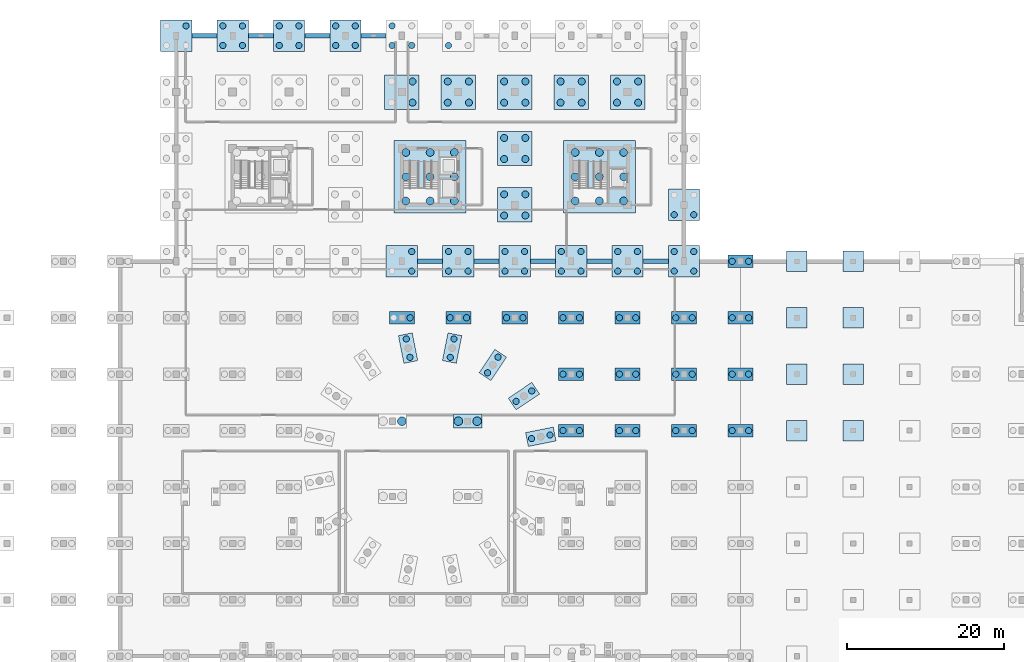
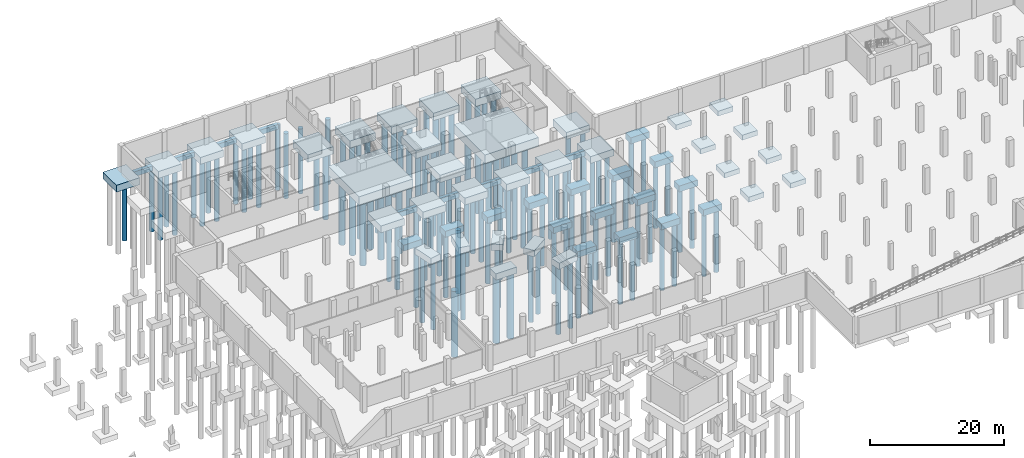
# One storey, part 4 of 19: 129 piles, 59 footings.
"""IFC4 building model written with IfcOpenShell, lengths in metres."""

from ifc_helpers import new_model, si_unit, direction, frame, origin, origin_2d, place, context, subcontext, project, spatial, rectangle, circle, extrude, material, material_profile, profile_set, type_object, element, save


model = new_model("IFC4")

# Units and contexts
model_context = context("Model", 3, precision=1e-05, world=origin(), true_north=direction((0.0, 1.0)))
body_context = subcontext(model_context, "Body", "Model", "MODEL_VIEW")
ifc_project = project(units=[si_unit("LENGTHUNIT", "METRE"), si_unit("AREAUNIT", "SQUARE_METRE"), si_unit("VOLUMEUNIT", "CUBIC_METRE"), si_unit("PLANEANGLEUNIT", "RADIAN"), si_unit("MASSUNIT", "GRAM", prefix="KILO")], contexts=[model_context])

# Site, building, storey
site_placement = place(None, origin())
site = spatial("IfcSite", under=ifc_project, at=site_placement, CompositionType="ELEMENT")
building_placement = place(site_placement, origin())
building = spatial("IfcBuilding", under=site, at=building_placement, Name="Qiaolan Assembly House", CompositionType="ELEMENT")
storey_placement = place(building_placement, frame((0.0, 0.0, -4.800048828125)))
storey = spatial("IfcBuildingStorey", under=building, at=storey_placement, Name="B1", CompositionType="ELEMENT", Elevation=-4.800048828125)

# Footings
ifc_material_1 = material(Name="Concrete C40/50", Category="concrete")
footing_type_1 = type_object("IfcFootingType", Name="FTG-CORE-RAFT-9200x9200", PredefinedType="PILE_CAP", material=ifc_material_1)
for number, where, z_axis, x_axis, name in (
    (1, (68.39990234375, 97.199951171875, -2.35009765625), (0.0, 0.0, 1.0), (1.0, 0.0, 0.0), "PC-01 pile cap CORE-B"),
    (2, (90.0, 97.199951171875, -2.35009765625), (0.0, 0.0, 1.0), (1.0, 0.0, 0.0), "PC-01 pile cap CORE-G"),
):
    element("IfcFooting", number, at=place(storey_placement, frame(where, z_axis=z_axis, x_axis=x_axis)), inside=storey, type_object=footing_type_1, Name=name, PredefinedType="PILE_CAP", context=body_context, shape_type="SweptSolid", body=[
        extrude(rectangle(XDim=9.199951171875, YDim=9.199951171875, at=origin_2d()), origin(), (0.0, 0.0, 1.0), 1.60009765625),
    ])
ifc_material_profile_1 = material_profile(ifc_material_1, rectangle(XDim=0.60009765625, YDim=0.89990234375, at=origin_2d()), Name="GF 600x900")
ifc_profile_set_1 = profile_set([ifc_material_profile_1], Name="Concrete C40/50")
footing_type_2 = type_object("IfcFootingType", Name="FTG-GB-600x900", PredefinedType="FOOTING_BEAM", material=ifc_profile_set_1)
for number, where, z_axis, x_axis, name in (
    (3, (66.802978515625, 86.39990234375, -1.199951171875), (1.0, 0.0, 0.0), (0.0, 1.0, 0.0), "GF-01 ground tie beam NW-86-4"),
    (4, (74.0029296875, 86.39990234375, -1.199951171875), (1.0, 0.0, 0.0), (0.0, 1.0, 0.0), "GF-01 ground tie beam NW-86-5"),
    (5, (81.202880859375, 86.39990234375, -1.199951171875), (1.0, 0.0, 0.0), (0.0, 1.0, 0.0), "GF-01 ground tie beam NW-86-6"),
):
    element("IfcFooting", number, at=place(storey_placement, frame(where, z_axis=z_axis, x_axis=x_axis)), inside=storey, type_object=footing_type_2, Name=name, PredefinedType="FOOTING_BEAM", context=body_context, shape_type="SweptSolid", body=[
        extrude(rectangle(XDim=0.60009765625, YDim=0.89990234375, at=origin_2d()), origin(), (0.0, 0.0, 1.0), 3.194091796875),
    ])
footing_1_placement = place(storey_placement, frame((88.403076171875, 86.39990234375, -1.199951171875), z_axis=(1.0, 0.0, 0.0), x_axis=(0.0, 1.0, 0.0)))
element("IfcFooting", 6, at=footing_1_placement, inside=storey, type_object=footing_type_2, Name="GF-01 ground tie beam NW-86-7", PredefinedType="FOOTING_BEAM", context=body_context, shape_type="SweptSolid", body=[
    extrude(rectangle(XDim=0.60009765625, YDim=0.89990234375, at=origin_2d()), origin(), (0.0, 0.0, 1.0), 3.19384765625),
])
for number, where, z_axis, x_axis, name in (
    (7, (95.60302734375, 86.39990234375, -1.199951171875), (1.0, 0.0, 0.0), (0.0, 1.0, 0.0), "GF-01 ground tie beam NW-86-8"),
    (8, (38.0029296875, 115.199951171875, -1.199951171875), (1.0, 0.0, 0.0), (0.0, 1.0, 0.0), "GF-01 ground tie beam NW-115-0"),
    (9, (45.202880859375, 115.199951171875, -1.199951171875), (1.0, 0.0, 0.0), (0.0, 1.0, 0.0), "GF-01 ground tie beam NW-115-1"),
):
    element("IfcFooting", number, at=place(storey_placement, frame(where, z_axis=z_axis, x_axis=x_axis)), inside=storey, type_object=footing_type_2, Name=name, PredefinedType="FOOTING_BEAM", context=body_context, shape_type="SweptSolid", body=[
        extrude(rectangle(XDim=0.60009765625, YDim=0.89990234375, at=origin_2d()), origin(), (0.0, 0.0, 1.0), 3.194091796875),
    ])
footing_2_placement = place(storey_placement, frame((52.403076171875, 115.199951171875, -1.199951171875), z_axis=(1.0, 0.0, 0.0), x_axis=(0.0, 1.0, 0.0)))
element("IfcFooting", 10, at=footing_2_placement, inside=storey, type_object=footing_type_2, Name="GF-01 ground tie beam NW-115-2", PredefinedType="FOOTING_BEAM", context=body_context, shape_type="SweptSolid", body=[
    extrude(rectangle(XDim=0.60009765625, YDim=0.89990234375, at=origin_2d()), origin(), (0.0, 0.0, 1.0), 3.19384765625),
])
footing_3_placement = place(storey_placement, frame((59.60302734375, 115.199951171875, -1.199951171875), z_axis=(1.0, 0.0, 0.0), x_axis=(0.0, 1.0, 0.0)))
element("IfcFooting", 11, at=footing_3_placement, inside=storey, type_object=footing_type_2, Name="GF-01 ground tie beam NW-115-3", PredefinedType="FOOTING_BEAM", context=body_context, shape_type="SweptSolid", body=[
    extrude(rectangle(XDim=0.60009765625, YDim=0.89990234375, at=origin_2d()), origin(), (0.0, 0.0, 1.0), 3.194091796875),
])
footing_type_3 = type_object("IfcFootingType", Name="FTG-PAD-2600x2600", PredefinedType="PAD_FOOTING", material=ifc_material_1)
for number, where, z_axis, x_axis, name in (
    (12, (115.199951171875, 64.800048828125, -1.64990234375), (0.0, 0.0, 1.0), (1.0, 0.0, 0.0), "PF-02 cloister/carpark pad footing 0-6"),
    (13, (115.199951171875, 72.0, -1.64990234375), (0.0, 0.0, 1.0), (1.0, 0.0, 0.0), "PF-02 cloister/carpark pad footing 0-7"),
    (14, (115.199951171875, 79.199951171875, -1.64990234375), (0.0, 0.0, 1.0), (1.0, 0.0, 0.0), "PF-02 cloister/carpark pad footing 0-8"),
    (15, (115.199951171875, 86.39990234375, -1.64990234375), (0.0, 0.0, 1.0), (1.0, 0.0, 0.0), "PF-02 cloister/carpark pad footing 0-9"),
    (16, (122.39990234375, 64.800048828125, -1.64990234375), (0.0, 0.0, 1.0), (1.0, 0.0, 0.0), "PF-02 cloister/carpark pad footing 1-6"),
    (17, (122.39990234375, 72.0, -1.64990234375), (0.0, 0.0, 1.0), (1.0, 0.0, 0.0), "PF-02 cloister/carpark pad footing 1-7"),
    (18, (122.39990234375, 79.199951171875, -1.64990234375), (0.0, 0.0, 1.0), (1.0, 0.0, 0.0), "PF-02 cloister/carpark pad footing 1-8"),
    (19, (122.39990234375, 86.39990234375, -1.64990234375), (0.0, 0.0, 1.0), (1.0, 0.0, 0.0), "PF-02 cloister/carpark pad footing 1-9"),
):
    element("IfcFooting", number, at=place(storey_placement, frame(where, z_axis=z_axis, x_axis=x_axis)), inside=storey, type_object=footing_type_3, Name=name, PredefinedType="PAD_FOOTING", context=body_context, shape_type="SweptSolid", body=[
        extrude(rectangle(XDim=2.60009765625, YDim=2.60009765625, at=origin_2d()), origin(), (0.0, 0.0, 1.0), 0.89990234375),
    ])
footing_type_4 = type_object("IfcFootingType", Name="FTG-PC-2P-3200x1600", PredefinedType="PILE_CAP", material=ifc_material_1)
for number, where, z_axis, x_axis, name in (
    (20, (64.800048828125, 79.199951171875, -1.85009765625), (0.0, 0.0, 1.0), (1.0, 0.0, 0.0), "PC-07 pile cap HL-06-06"),
    (21, (72.0, 79.199951171875, -1.85009765625), (0.0, 0.0, 1.0), (1.0, 0.0, 0.0), "PC-07 pile cap HL-07-06"),
    (22, (79.199951171875, 79.199951171875, -1.85009765625), (0.0, 0.0, 1.0), (1.0, 0.0, 0.0), "PC-07 pile cap HL-08-06"),
    (23, (86.39990234375, 64.800048828125, -1.85009765625), (0.0, 0.0, 1.0), (1.0, 0.0, 0.0), "PC-07 pile cap HL-09-04"),
    (24, (86.39990234375, 72.0, -1.85009765625), (0.0, 0.0, 1.0), (1.0, 0.0, 0.0), "PC-07 pile cap HL-09-05"),
    (25, (86.39990234375, 79.199951171875, -1.85009765625), (0.0, 0.0, 1.0), (1.0, 0.0, 0.0), "PC-07 pile cap HL-09-06"),
    (26, (93.60009765625, 64.800048828125, -1.85009765625), (0.0, 0.0, 1.0), (1.0, 0.0, 0.0), "PC-07 pile cap HL-10-04"),
    (27, (93.60009765625, 72.0, -1.85009765625), (0.0, 0.0, 1.0), (1.0, 0.0, 0.0), "PC-07 pile cap HL-10-05"),
    (28, (93.60009765625, 79.199951171875, -1.85009765625), (0.0, 0.0, 1.0), (1.0, 0.0, 0.0), "PC-07 pile cap HL-10-06"),
    (29, (100.800048828125, 64.800048828125, -1.85009765625), (0.0, 0.0, 1.0), (1.0, 0.0, 0.0), "PC-07 pile cap HL-11-04"),
    (30, (100.800048828125, 72.0, -1.85009765625), (0.0, 0.0, 1.0), (1.0, 0.0, 0.0), "PC-07 pile cap HL-11-05"),
    (31, (100.800048828125, 79.199951171875, -1.85009765625), (0.0, 0.0, 1.0), (1.0, 0.0, 0.0), "PC-07 pile cap HL-11-06"),
    (32, (108.0, 64.800048828125, -1.85009765625), (0.0, 0.0, 1.0), (1.0, 0.0, 0.0), "PC-07 pile cap HL-12-04"),
    (33, (108.0, 72.0, -1.85009765625), (0.0, 0.0, 1.0), (1.0, 0.0, 0.0), "PC-07 pile cap HL-12-05"),
    (34, (108.0, 79.199951171875, -1.85009765625), (0.0, 0.0, 1.0), (1.0, 0.0, 0.0), "PC-07 pile cap HL-12-06"),
    (35, (108.0, 86.39990234375, -1.85009765625), (0.0, 0.0, 1.0), (1.0, 0.0, 0.0), "PC-07 pile cap HL-12-07"),
):
    element("IfcFooting", number, at=place(storey_placement, frame(where, z_axis=z_axis, x_axis=x_axis)), inside=storey, type_object=footing_type_4, Name=name, PredefinedType="PILE_CAP", context=body_context, shape_type="SweptSolid", body=[
        extrude(rectangle(XDim=3.199951171875, YDim=1.60009765625, at=origin_2d()), origin(), (0.0, 0.0, 1.0), 1.10009765625),
    ])
footing_type_5 = type_object("IfcFootingType", Name="FTG-PC-2P-3600x1800", PredefinedType="PILE_CAP", material=ifc_material_1)
for number, where, z_axis, x_axis, name in (
    (36, (82.523193359375, 64.00927734375, -1.89990234375), (0.0, 0.0, 1.0), (0.98078527548, 0.195090346769, 0.0), "PC-06 pile cap DRUM-00"),
    (37, (80.373046875, 69.2001953125, -1.89990234375), (0.0, 0.0, 1.0), (0.831469614765, 0.555570229334, 0.0), "PC-06 pile cap DRUM-01"),
    (38, (76.400146484375, 73.173095703125, -1.89990234375), (0.0, 0.0, 1.0), (0.555570229334, 0.831469614765, 0.0), "PC-06 pile cap DRUM-02"),
    (39, (71.209228515625, 75.3232421875, -1.89990234375), (0.0, 0.0, 1.0), (0.195090346769, 0.98078527548, 0.0), "PC-06 pile cap DRUM-03"),
    (40, (65.5908203125, 75.3232421875, -1.89990234375), (0.0, 0.0, 1.0), (-0.195090346769, 0.98078527548, 0.0), "PC-06 pile cap DRUM-04"),
    (41, (73.199951171875, 66.0, -1.89990234375), (0.0, 0.0, 1.0), (1.0, 0.0, 0.0), "PC-06 pile cap UC-02"),
):
    element("IfcFooting", number, at=place(storey_placement, frame(where, z_axis=z_axis, x_axis=x_axis)), inside=storey, type_object=footing_type_5, Name=name, PredefinedType="PILE_CAP", context=body_context, shape_type="SweptSolid", body=[
        extrude(rectangle(XDim=3.60009765625, YDim=1.800048828125, at=origin_2d()), origin(), (0.0, 0.0, 1.0), 1.14990234375),
    ])
footing_type_6 = type_object("IfcFootingType", Name="FTG-PC-4P-4000x4000", PredefinedType="PILE_CAP", material=ifc_material_1)
for number, where, z_axis, x_axis, name in (
    (42, (36.0, 115.199951171875, -2.0), (0.0, 0.0, 1.0), (1.0, 0.0, 0.0), "PC-04 pile cap NW-00-04"),
    (43, (43.199951171875, 115.199951171875, -2.0), (0.0, 0.0, 1.0), (1.0, 0.0, 0.0), "PC-04 pile cap NW-01-04"),
    (44, (50.39990234375, 115.199951171875, -2.0), (0.0, 0.0, 1.0), (1.0, 0.0, 0.0), "PC-04 pile cap NW-02-04"),
    (45, (57.60009765625, 115.199951171875, -2.0), (0.0, 0.0, 1.0), (1.0, 0.0, 0.0), "PC-04 pile cap NW-03-04"),
    (46, (64.800048828125, 86.39990234375, -2.0), (0.0, 0.0, 1.0), (1.0, 0.0, 0.0), "PC-04 pile cap NW-04-00"),
    (47, (72.0, 86.39990234375, -2.0), (0.0, 0.0, 1.0), (1.0, 0.0, 0.0), "PC-04 pile cap NW-05-00"),
    (48, (79.199951171875, 86.39990234375, -2.0), (0.0, 0.0, 1.0), (1.0, 0.0, 0.0), "PC-04 pile cap NW-06-00"),
    (49, (86.39990234375, 86.39990234375, -2.0), (0.0, 0.0, 1.0), (1.0, 0.0, 0.0), "PC-04 pile cap NW-07-00"),
    (50, (93.60009765625, 86.39990234375, -2.0), (0.0, 0.0, 1.0), (1.0, 0.0, 0.0), "PC-04 pile cap NW-08-00"),
    (51, (100.800048828125, 86.39990234375, -2.0), (0.0, 0.0, 1.0), (1.0, 0.0, 0.0), "PC-04 pile cap NW-09-00"),
    (52, (100.800048828125, 93.60009765625, -2.0), (0.0, 0.0, 1.0), (1.0, 0.0, 0.0), "PC-04 pile cap NW-09-01"),
):
    element("IfcFooting", number, at=place(storey_placement, frame(where, z_axis=z_axis, x_axis=x_axis)), inside=storey, type_object=footing_type_6, Name=name, PredefinedType="PILE_CAP", context=body_context, shape_type="SweptSolid", body=[
        extrude(rectangle(XDim=4.0, YDim=4.0, at=origin_2d()), origin(), (0.0, 0.0, 1.0), 1.25),
    ])
footing_type_7 = type_object("IfcFootingType", Name="FTG-PC-4P-4400x4400", PredefinedType="PILE_CAP", material=ifc_material_1)
for number, where, z_axis, x_axis, name in (
    (53, (64.800048828125, 108.0, -2.10009765625), (0.0, 0.0, 1.0), (1.0, 0.0, 0.0), "PC-03 pile cap NW-04-03"),
    (54, (72.0, 108.0, -2.10009765625), (0.0, 0.0, 1.0), (1.0, 0.0, 0.0), "PC-03 pile cap NW-05-03"),
    (55, (79.199951171875, 93.60009765625, -2.10009765625), (0.0, 0.0, 1.0), (1.0, 0.0, 0.0), "PC-03 pile cap NW-06-01"),
    (56, (79.199951171875, 100.800048828125, -2.10009765625), (0.0, 0.0, 1.0), (1.0, 0.0, 0.0), "PC-03 pile cap NW-06-02"),
    (57, (79.199951171875, 108.0, -2.10009765625), (0.0, 0.0, 1.0), (1.0, 0.0, 0.0), "PC-03 pile cap NW-06-03"),
    (58, (86.39990234375, 108.0, -2.10009765625), (0.0, 0.0, 1.0), (1.0, 0.0, 0.0), "PC-03 pile cap NW-07-03"),
    (59, (93.60009765625, 108.0, -2.10009765625), (0.0, 0.0, 1.0), (1.0, 0.0, 0.0), "PC-03 pile cap NW-08-03"),
):
    element("IfcFooting", number, at=place(storey_placement, frame(where, z_axis=z_axis, x_axis=x_axis)), inside=storey, type_object=footing_type_7, Name=name, PredefinedType="PILE_CAP", context=body_context, shape_type="SweptSolid", body=[
        extrude(rectangle(XDim=4.39990234375, YDim=4.39990234375, at=origin_2d()), origin(), (0.0, 0.0, 1.0), 1.35009765625),
    ])

# Piles
ifc_material_2 = material(Name="Concrete C45/55", Category="concrete")
ifc_material_profile_2 = material_profile(ifc_material_2, circle(Radius=0.5, at=origin_2d()), Name="PILE D1000")
ifc_profile_set_2 = profile_set([ifc_material_profile_2], Name="Concrete C45/55")
pile_type_1 = type_object("IfcPileType", Name="PILE-BORED-D1000", PredefinedType="BORED", material=ifc_profile_set_2)
for number, where, z_axis, x_axis, name in (
    (60, (65.300048828125, 94.10009765625, -2.25), (0.0, 0.0, -1.0), (1.0, 0.0, 0.0), "BP-03 rock-socketed pile CORE-B-1"),
    (61, (65.300048828125, 97.199951171875, -2.25), (0.0, 0.0, -1.0), (1.0, 0.0, 0.0), "BP-03 rock-socketed pile CORE-B-2"),
    (62, (65.300048828125, 100.300048828125, -2.25), (0.0, 0.0, -1.0), (1.0, 0.0, 0.0), "BP-03 rock-socketed pile CORE-B-3"),
    (63, (68.39990234375, 94.10009765625, -2.25), (0.0, 0.0, -1.0), (1.0, 0.0, 0.0), "BP-03 rock-socketed pile CORE-B-4"),
    (64, (68.39990234375, 97.199951171875, -2.25), (0.0, 0.0, -1.0), (1.0, 0.0, 0.0), "BP-03 rock-socketed pile CORE-B-5"),
    (65, (68.39990234375, 100.300048828125, -2.25), (0.0, 0.0, -1.0), (1.0, 0.0, 0.0), "BP-03 rock-socketed pile CORE-B-6"),
    (66, (71.5, 94.10009765625, -2.25), (0.0, 0.0, -1.0), (1.0, 0.0, 0.0), "BP-03 rock-socketed pile CORE-B-7"),
    (67, (71.5, 97.199951171875, -2.25), (0.0, 0.0, -1.0), (1.0, 0.0, 0.0), "BP-03 rock-socketed pile CORE-B-8"),
    (68, (71.5, 100.300048828125, -2.25), (0.0, 0.0, -1.0), (1.0, 0.0, 0.0), "BP-03 rock-socketed pile CORE-B-9"),
    (69, (86.89990234375, 94.10009765625, -2.25), (0.0, 0.0, -1.0), (1.0, 0.0, 0.0), "BP-03 rock-socketed pile CORE-G-1"),
    (70, (86.89990234375, 97.199951171875, -2.25), (0.0, 0.0, -1.0), (1.0, 0.0, 0.0), "BP-03 rock-socketed pile CORE-G-2"),
    (71, (86.89990234375, 100.300048828125, -2.25), (0.0, 0.0, -1.0), (1.0, 0.0, 0.0), "BP-03 rock-socketed pile CORE-G-3"),
    (72, (90.0, 94.10009765625, -2.25), (0.0, 0.0, -1.0), (1.0, 0.0, 0.0), "BP-03 rock-socketed pile CORE-G-4"),
    (73, (90.0, 97.199951171875, -2.25), (0.0, 0.0, -1.0), (1.0, 0.0, 0.0), "BP-03 rock-socketed pile CORE-G-5"),
    (74, (90.0, 100.300048828125, -2.25), (0.0, 0.0, -1.0), (1.0, 0.0, 0.0), "BP-03 rock-socketed pile CORE-G-6"),
    (75, (93.10009765625, 94.10009765625, -2.25), (0.0, 0.0, -1.0), (1.0, 0.0, 0.0), "BP-03 rock-socketed pile CORE-G-7"),
    (76, (93.10009765625, 97.199951171875, -2.25), (0.0, 0.0, -1.0), (1.0, 0.0, 0.0), "BP-03 rock-socketed pile CORE-G-8"),
    (77, (93.10009765625, 100.300048828125, -2.25), (0.0, 0.0, -1.0), (1.0, 0.0, 0.0), "BP-03 rock-socketed pile CORE-G-9"),
):
    element("IfcPile", number, at=place(storey_placement, frame(where, z_axis=z_axis, x_axis=x_axis)), inside=storey, type_object=pile_type_1, Name=name, PredefinedType="BORED", context=body_context, shape_type="SweptSolid", body=[
        extrude(circle(Radius=0.5, at=origin_2d()), origin(), (0.0, 0.0, 1.0), 12.199951171875),
    ])
ifc_material_profile_3 = material_profile(ifc_material_2, circle(Radius=0.550048828125, at=origin_2d()), Name="PILE D1100")
ifc_profile_set_3 = profile_set([ifc_material_profile_3], Name="Concrete C45/55")
pile_type_2 = type_object("IfcPileType", Name="PILE-BORED-D1100", PredefinedType="BORED", material=ifc_profile_set_3)
for number, where, z_axis, x_axis, name in (
    (78, (72.0, 66.0, -1.800048828125), (0.0, 0.0, -1.0), (1.0, 0.0, 0.0), "BP-04 rock-socketed pile UC-02-1"),
    (79, (74.39990234375, 66.0, -1.800048828125), (0.0, 0.0, -1.0), (1.0, 0.0, 0.0), "BP-04 rock-socketed pile UC-02-2"),
    (80, (64.800048828125, 66.0, -1.800048828125), (0.0, 0.0, -1.0), (1.0, 0.0, 0.0), "BP-04 rock-socketed pile UC-03-2"),
):
    element("IfcPile", number, at=place(storey_placement, frame(where, z_axis=z_axis, x_axis=x_axis)), inside=storey, type_object=pile_type_2, Name=name, PredefinedType="BORED", context=body_context, shape_type="SweptSolid", body=[
        extrude(circle(Radius=0.550048828125, at=origin_2d()), origin(), (0.0, 0.0, 1.0), 12.0),
    ])
ifc_material_profile_4 = material_profile(ifc_material_2, circle(Radius=0.39990234375, at=origin_2d()), Name="PILE D800")
ifc_profile_set_4 = profile_set([ifc_material_profile_4], Name="Concrete C45/55")
pile_type_3 = type_object("IfcPileType", Name="PILE-BORED-D800", PredefinedType="BORED", material=ifc_profile_set_4)
for number, where, z_axis, x_axis, name in (
    (81, (37.25, 116.449951171875, -1.89990234375), (0.0, 0.0, -1.0), (1.0, 0.0, 0.0), "BP-01 rock-socketed pile NW-00-04-3"),
    (82, (41.949951171875, 113.949951171875, -1.89990234375), (0.0, 0.0, -1.0), (1.0, 0.0, 0.0), "BP-01 rock-socketed pile NW-01-04-1"),
    (83, (44.449951171875, 113.949951171875, -1.89990234375), (0.0, 0.0, -1.0), (1.0, 0.0, 0.0), "BP-01 rock-socketed pile NW-01-04-2"),
    (84, (44.449951171875, 116.449951171875, -1.89990234375), (0.0, 0.0, -1.0), (1.0, 0.0, 0.0), "BP-01 rock-socketed pile NW-01-04-3"),
    (85, (41.949951171875, 116.449951171875, -1.89990234375), (0.0, 0.0, -1.0), (1.0, 0.0, 0.0), "BP-01 rock-socketed pile NW-01-04-4"),
    (86, (49.14990234375, 113.949951171875, -1.89990234375), (0.0, 0.0, -1.0), (1.0, 0.0, 0.0), "BP-01 rock-socketed pile NW-02-04-1"),
    (87, (51.64990234375, 113.949951171875, -1.89990234375), (0.0, 0.0, -1.0), (1.0, 0.0, 0.0), "BP-01 rock-socketed pile NW-02-04-2"),
    (88, (51.64990234375, 116.449951171875, -1.89990234375), (0.0, 0.0, -1.0), (1.0, 0.0, 0.0), "BP-01 rock-socketed pile NW-02-04-3"),
    (89, (49.14990234375, 116.449951171875, -1.89990234375), (0.0, 0.0, -1.0), (1.0, 0.0, 0.0), "BP-01 rock-socketed pile NW-02-04-4"),
    (90, (56.35009765625, 113.949951171875, -1.89990234375), (0.0, 0.0, -1.0), (1.0, 0.0, 0.0), "BP-01 rock-socketed pile NW-03-04-1"),
    (91, (58.85009765625, 113.949951171875, -1.89990234375), (0.0, 0.0, -1.0), (1.0, 0.0, 0.0), "BP-01 rock-socketed pile NW-03-04-2"),
    (92, (58.85009765625, 116.449951171875, -1.89990234375), (0.0, 0.0, -1.0), (1.0, 0.0, 0.0), "BP-01 rock-socketed pile NW-03-04-3"),
    (93, (56.35009765625, 116.449951171875, -1.89990234375), (0.0, 0.0, -1.0), (1.0, 0.0, 0.0), "BP-01 rock-socketed pile NW-03-04-4"),
    (94, (66.050048828125, 85.14990234375, -1.89990234375), (0.0, 0.0, -1.0), (1.0, 0.0, 0.0), "BP-01 rock-socketed pile NW-04-00-2"),
    (95, (66.050048828125, 87.64990234375, -1.89990234375), (0.0, 0.0, -1.0), (1.0, 0.0, 0.0), "BP-01 rock-socketed pile NW-04-00-3"),
    (96, (63.550048828125, 113.949951171875, -1.89990234375), (0.0, 0.0, -1.0), (1.0, 0.0, 0.0), "BP-01 rock-socketed pile NW-04-04-1"),
    (97, (66.050048828125, 113.949951171875, -1.89990234375), (0.0, 0.0, -1.0), (1.0, 0.0, 0.0), "BP-01 rock-socketed pile NW-04-04-2"),
    (98, (63.550048828125, 116.449951171875, -1.89990234375), (0.0, 0.0, -1.0), (1.0, 0.0, 0.0), "BP-01 rock-socketed pile NW-04-04-4"),
    (99, (70.75, 85.14990234375, -1.89990234375), (0.0, 0.0, -1.0), (1.0, 0.0, 0.0), "BP-01 rock-socketed pile NW-05-00-1"),
    (100, (73.25, 85.14990234375, -1.89990234375), (0.0, 0.0, -1.0), (1.0, 0.0, 0.0), "BP-01 rock-socketed pile NW-05-00-2"),
    (101, (73.25, 87.64990234375, -1.89990234375), (0.0, 0.0, -1.0), (1.0, 0.0, 0.0), "BP-01 rock-socketed pile NW-05-00-3"),
    (102, (70.75, 87.64990234375, -1.89990234375), (0.0, 0.0, -1.0), (1.0, 0.0, 0.0), "BP-01 rock-socketed pile NW-05-00-4"),
    (103, (70.75, 113.949951171875, -1.89990234375), (0.0, 0.0, -1.0), (1.0, 0.0, 0.0), "BP-01 rock-socketed pile NW-05-04-1"),
    (104, (77.949951171875, 85.14990234375, -1.89990234375), (0.0, 0.0, -1.0), (1.0, 0.0, 0.0), "BP-01 rock-socketed pile NW-06-00-1"),
    (105, (80.449951171875, 85.14990234375, -1.89990234375), (0.0, 0.0, -1.0), (1.0, 0.0, 0.0), "BP-01 rock-socketed pile NW-06-00-2"),
    (106, (80.449951171875, 87.64990234375, -1.89990234375), (0.0, 0.0, -1.0), (1.0, 0.0, 0.0), "BP-01 rock-socketed pile NW-06-00-3"),
    (107, (77.949951171875, 87.64990234375, -1.89990234375), (0.0, 0.0, -1.0), (1.0, 0.0, 0.0), "BP-01 rock-socketed pile NW-06-00-4"),
    (108, (85.14990234375, 85.14990234375, -1.89990234375), (0.0, 0.0, -1.0), (1.0, 0.0, 0.0), "BP-01 rock-socketed pile NW-07-00-1"),
    (109, (87.64990234375, 85.14990234375, -1.89990234375), (0.0, 0.0, -1.0), (1.0, 0.0, 0.0), "BP-01 rock-socketed pile NW-07-00-2"),
    (110, (87.64990234375, 87.64990234375, -1.89990234375), (0.0, 0.0, -1.0), (1.0, 0.0, 0.0), "BP-01 rock-socketed pile NW-07-00-3"),
    (111, (85.14990234375, 87.64990234375, -1.89990234375), (0.0, 0.0, -1.0), (1.0, 0.0, 0.0), "BP-01 rock-socketed pile NW-07-00-4"),
    (112, (92.35009765625, 85.14990234375, -1.89990234375), (0.0, 0.0, -1.0), (1.0, 0.0, 0.0), "BP-01 rock-socketed pile NW-08-00-1"),
    (113, (94.85009765625, 85.14990234375, -1.89990234375), (0.0, 0.0, -1.0), (1.0, 0.0, 0.0), "BP-01 rock-socketed pile NW-08-00-2"),
    (114, (94.85009765625, 87.64990234375, -1.89990234375), (0.0, 0.0, -1.0), (1.0, 0.0, 0.0), "BP-01 rock-socketed pile NW-08-00-3"),
    (115, (92.35009765625, 87.64990234375, -1.89990234375), (0.0, 0.0, -1.0), (1.0, 0.0, 0.0), "BP-01 rock-socketed pile NW-08-00-4"),
    (116, (99.550048828125, 85.14990234375, -1.89990234375), (0.0, 0.0, -1.0), (1.0, 0.0, 0.0), "BP-01 rock-socketed pile NW-09-00-1"),
    (117, (102.050048828125, 85.14990234375, -1.89990234375), (0.0, 0.0, -1.0), (1.0, 0.0, 0.0), "BP-01 rock-socketed pile NW-09-00-2"),
    (118, (102.050048828125, 87.64990234375, -1.89990234375), (0.0, 0.0, -1.0), (1.0, 0.0, 0.0), "BP-01 rock-socketed pile NW-09-00-3"),
    (119, (99.550048828125, 87.64990234375, -1.89990234375), (0.0, 0.0, -1.0), (1.0, 0.0, 0.0), "BP-01 rock-socketed pile NW-09-00-4"),
    (120, (99.550048828125, 92.35009765625, -1.89990234375), (0.0, 0.0, -1.0), (1.0, 0.0, 0.0), "BP-01 rock-socketed pile NW-09-01-1"),
    (121, (102.050048828125, 92.35009765625, -1.89990234375), (0.0, 0.0, -1.0), (1.0, 0.0, 0.0), "BP-01 rock-socketed pile NW-09-01-2"),
):
    element("IfcPile", number, at=place(storey_placement, frame(where, z_axis=z_axis, x_axis=x_axis)), inside=storey, type_object=pile_type_3, Name=name, PredefinedType="BORED", context=body_context, shape_type="SweptSolid", body=[
        extrude(circle(Radius=0.39990234375, at=origin_2d()), origin(), (0.0, 0.0, 1.0), 11.800048828125),
    ])
for number, where, z_axis, x_axis, name in (
    (122, (81.346435546875, 63.775146484375, -1.800048828125), (0.0, 0.0, -1.0), (1.0, 0.0, 0.0), "BP-01 rock-socketed pile DRUM-00-1"),
    (123, (83.7001953125, 64.243408203125, -1.800048828125), (0.0, 0.0, -1.0), (1.0, 0.0, 0.0), "BP-01 rock-socketed pile DRUM-00-2"),
    (124, (79.37548828125, 68.533447265625, -1.800048828125), (0.0, 0.0, -1.0), (1.0, 0.0, 0.0), "BP-01 rock-socketed pile DRUM-01-1"),
    (125, (81.370849609375, 69.866943359375, -1.800048828125), (0.0, 0.0, -1.0), (1.0, 0.0, 0.0), "BP-01 rock-socketed pile DRUM-01-2"),
    (126, (75.733642578125, 72.17529296875, -1.800048828125), (0.0, 0.0, -1.0), (1.0, 0.0, 0.0), "BP-01 rock-socketed pile DRUM-02-1"),
    (127, (77.06689453125, 74.1708984375, -1.800048828125), (0.0, 0.0, -1.0), (1.0, 0.0, 0.0), "BP-01 rock-socketed pile DRUM-02-2"),
    (128, (70.97509765625, 74.146484375, -1.800048828125), (0.0, 0.0, -1.0), (1.0, 0.0, 0.0), "BP-01 rock-socketed pile DRUM-03-1"),
    (129, (71.443359375, 76.500244140625, -1.800048828125), (0.0, 0.0, -1.0), (1.0, 0.0, 0.0), "BP-01 rock-socketed pile DRUM-03-2"),
    (130, (65.82470703125, 74.146484375, -1.800048828125), (0.0, 0.0, -1.0), (1.0, 0.0, 0.0), "BP-01 rock-socketed pile DRUM-04-1"),
    (131, (65.356689453125, 76.500244140625, -1.800048828125), (0.0, 0.0, -1.0), (1.0, 0.0, 0.0), "BP-01 rock-socketed pile DRUM-04-2"),
):
    element("IfcPile", number, at=place(storey_placement, frame(where, z_axis=z_axis, x_axis=x_axis)), inside=storey, type_object=pile_type_3, Name=name, PredefinedType="BORED", context=body_context, shape_type="SweptSolid", body=[
        extrude(circle(Radius=0.39990234375, at=origin_2d()), origin(), (0.0, 0.0, 1.0), 12.39990234375),
    ])
for number, where, z_axis, x_axis, name in (
    (132, (65.85009765625, 79.199951171875, -1.75), (0.0, 0.0, -1.0), (1.0, 0.0, 0.0), "BP-01 rock-socketed pile HL-06-06-2"),
    (133, (70.949951171875, 79.199951171875, -1.75), (0.0, 0.0, -1.0), (1.0, 0.0, 0.0), "BP-01 rock-socketed pile HL-07-06-1"),
    (134, (73.050048828125, 79.199951171875, -1.75), (0.0, 0.0, -1.0), (1.0, 0.0, 0.0), "BP-01 rock-socketed pile HL-07-06-2"),
    (135, (78.14990234375, 79.199951171875, -1.75), (0.0, 0.0, -1.0), (1.0, 0.0, 0.0), "BP-01 rock-socketed pile HL-08-06-1"),
    (136, (80.25, 79.199951171875, -1.75), (0.0, 0.0, -1.0), (1.0, 0.0, 0.0), "BP-01 rock-socketed pile HL-08-06-2"),
    (137, (85.35009765625, 64.800048828125, -1.75), (0.0, 0.0, -1.0), (1.0, 0.0, 0.0), "BP-01 rock-socketed pile HL-09-04-1"),
    (138, (87.449951171875, 64.800048828125, -1.75), (0.0, 0.0, -1.0), (1.0, 0.0, 0.0), "BP-01 rock-socketed pile HL-09-04-2"),
    (139, (85.35009765625, 72.0, -1.75), (0.0, 0.0, -1.0), (1.0, 0.0, 0.0), "BP-01 rock-socketed pile HL-09-05-1"),
    (140, (87.449951171875, 72.0, -1.75), (0.0, 0.0, -1.0), (1.0, 0.0, 0.0), "BP-01 rock-socketed pile HL-09-05-2"),
    (141, (85.35009765625, 79.199951171875, -1.75), (0.0, 0.0, -1.0), (1.0, 0.0, 0.0), "BP-01 rock-socketed pile HL-09-06-1"),
    (142, (87.449951171875, 79.199951171875, -1.75), (0.0, 0.0, -1.0), (1.0, 0.0, 0.0), "BP-01 rock-socketed pile HL-09-06-2"),
    (143, (92.550048828125, 64.800048828125, -1.75), (0.0, 0.0, -1.0), (1.0, 0.0, 0.0), "BP-01 rock-socketed pile HL-10-04-1"),
    (144, (94.64990234375, 64.800048828125, -1.75), (0.0, 0.0, -1.0), (1.0, 0.0, 0.0), "BP-01 rock-socketed pile HL-10-04-2"),
    (145, (92.550048828125, 72.0, -1.75), (0.0, 0.0, -1.0), (1.0, 0.0, 0.0), "BP-01 rock-socketed pile HL-10-05-1"),
    (146, (94.64990234375, 72.0, -1.75), (0.0, 0.0, -1.0), (1.0, 0.0, 0.0), "BP-01 rock-socketed pile HL-10-05-2"),
    (147, (92.550048828125, 79.199951171875, -1.75), (0.0, 0.0, -1.0), (1.0, 0.0, 0.0), "BP-01 rock-socketed pile HL-10-06-1"),
    (148, (94.64990234375, 79.199951171875, -1.75), (0.0, 0.0, -1.0), (1.0, 0.0, 0.0), "BP-01 rock-socketed pile HL-10-06-2"),
    (149, (99.75, 64.800048828125, -1.75), (0.0, 0.0, -1.0), (1.0, 0.0, 0.0), "BP-01 rock-socketed pile HL-11-04-1"),
    (150, (101.85009765625, 64.800048828125, -1.75), (0.0, 0.0, -1.0), (1.0, 0.0, 0.0), "BP-01 rock-socketed pile HL-11-04-2"),
    (151, (99.75, 72.0, -1.75), (0.0, 0.0, -1.0), (1.0, 0.0, 0.0), "BP-01 rock-socketed pile HL-11-05-1"),
    (152, (101.85009765625, 72.0, -1.75), (0.0, 0.0, -1.0), (1.0, 0.0, 0.0), "BP-01 rock-socketed pile HL-11-05-2"),
    (153, (99.75, 79.199951171875, -1.75), (0.0, 0.0, -1.0), (1.0, 0.0, 0.0), "BP-01 rock-socketed pile HL-11-06-1"),
    (154, (101.85009765625, 79.199951171875, -1.75), (0.0, 0.0, -1.0), (1.0, 0.0, 0.0), "BP-01 rock-socketed pile HL-11-06-2"),
    (155, (106.949951171875, 64.800048828125, -1.75), (0.0, 0.0, -1.0), (1.0, 0.0, 0.0), "BP-01 rock-socketed pile HL-12-04-1"),
    (156, (109.050048828125, 64.800048828125, -1.75), (0.0, 0.0, -1.0), (1.0, 0.0, 0.0), "BP-01 rock-socketed pile HL-12-04-2"),
    (157, (106.949951171875, 72.0, -1.75), (0.0, 0.0, -1.0), (1.0, 0.0, 0.0), "BP-01 rock-socketed pile HL-12-05-1"),
    (158, (109.050048828125, 72.0, -1.75), (0.0, 0.0, -1.0), (1.0, 0.0, 0.0), "BP-01 rock-socketed pile HL-12-05-2"),
    (159, (106.949951171875, 79.199951171875, -1.75), (0.0, 0.0, -1.0), (1.0, 0.0, 0.0), "BP-01 rock-socketed pile HL-12-06-1"),
    (160, (109.050048828125, 79.199951171875, -1.75), (0.0, 0.0, -1.0), (1.0, 0.0, 0.0), "BP-01 rock-socketed pile HL-12-06-2"),
    (161, (106.949951171875, 86.39990234375, -1.75), (0.0, 0.0, -1.0), (1.0, 0.0, 0.0), "BP-01 rock-socketed pile HL-12-07-1"),
    (162, (109.050048828125, 86.39990234375, -1.75), (0.0, 0.0, -1.0), (1.0, 0.0, 0.0), "BP-01 rock-socketed pile HL-12-07-2"),
):
    element("IfcPile", number, at=place(storey_placement, frame(where, z_axis=z_axis, x_axis=x_axis)), inside=storey, type_object=pile_type_3, Name=name, PredefinedType="BORED", context=body_context, shape_type="SweptSolid", body=[
        extrude(circle(Radius=0.39990234375, at=origin_2d()), origin(), (0.0, 0.0, 1.0), 11.5),
    ])
ifc_material_profile_5 = material_profile(ifc_material_2, circle(Radius=0.449951171875, at=origin_2d()), Name="PILE D900")
ifc_profile_set_5 = profile_set([ifc_material_profile_5], Name="Concrete C45/55")
pile_type_4 = type_object("IfcPileType", Name="PILE-BORED-D900", PredefinedType="BORED", material=ifc_profile_set_5)
for number, where, z_axis, x_axis, name in (
    (163, (66.14990234375, 106.64990234375, -2.0), (0.0, 0.0, -1.0), (1.0, 0.0, 0.0), "BP-02 rock-socketed pile NW-04-03-2"),
    (164, (66.14990234375, 109.35009765625, -2.0), (0.0, 0.0, -1.0), (1.0, 0.0, 0.0), "BP-02 rock-socketed pile NW-04-03-3"),
    (165, (70.64990234375, 106.64990234375, -2.0), (0.0, 0.0, -1.0), (1.0, 0.0, 0.0), "BP-02 rock-socketed pile NW-05-03-1"),
    (166, (73.35009765625, 106.64990234375, -2.0), (0.0, 0.0, -1.0), (1.0, 0.0, 0.0), "BP-02 rock-socketed pile NW-05-03-2"),
    (167, (73.35009765625, 109.35009765625, -2.0), (0.0, 0.0, -1.0), (1.0, 0.0, 0.0), "BP-02 rock-socketed pile NW-05-03-3"),
    (168, (70.64990234375, 109.35009765625, -2.0), (0.0, 0.0, -1.0), (1.0, 0.0, 0.0), "BP-02 rock-socketed pile NW-05-03-4"),
    (169, (77.85009765625, 92.25, -2.0), (0.0, 0.0, -1.0), (1.0, 0.0, 0.0), "BP-02 rock-socketed pile NW-06-01-1"),
    (170, (80.550048828125, 92.25, -2.0), (0.0, 0.0, -1.0), (1.0, 0.0, 0.0), "BP-02 rock-socketed pile NW-06-01-2"),
    (171, (80.550048828125, 94.949951171875, -2.0), (0.0, 0.0, -1.0), (1.0, 0.0, 0.0), "BP-02 rock-socketed pile NW-06-01-3"),
    (172, (77.85009765625, 94.949951171875, -2.0), (0.0, 0.0, -1.0), (1.0, 0.0, 0.0), "BP-02 rock-socketed pile NW-06-01-4"),
    (173, (77.85009765625, 99.449951171875, -2.0), (0.0, 0.0, -1.0), (1.0, 0.0, 0.0), "BP-02 rock-socketed pile NW-06-02-1"),
    (174, (80.550048828125, 99.449951171875, -2.0), (0.0, 0.0, -1.0), (1.0, 0.0, 0.0), "BP-02 rock-socketed pile NW-06-02-2"),
    (175, (80.550048828125, 102.14990234375, -2.0), (0.0, 0.0, -1.0), (1.0, 0.0, 0.0), "BP-02 rock-socketed pile NW-06-02-3"),
    (176, (77.85009765625, 102.14990234375, -2.0), (0.0, 0.0, -1.0), (1.0, 0.0, 0.0), "BP-02 rock-socketed pile NW-06-02-4"),
    (177, (77.85009765625, 106.64990234375, -2.0), (0.0, 0.0, -1.0), (1.0, 0.0, 0.0), "BP-02 rock-socketed pile NW-06-03-1"),
    (178, (80.550048828125, 106.64990234375, -2.0), (0.0, 0.0, -1.0), (1.0, 0.0, 0.0), "BP-02 rock-socketed pile NW-06-03-2"),
    (179, (80.550048828125, 109.35009765625, -2.0), (0.0, 0.0, -1.0), (1.0, 0.0, 0.0), "BP-02 rock-socketed pile NW-06-03-3"),
    (180, (77.85009765625, 109.35009765625, -2.0), (0.0, 0.0, -1.0), (1.0, 0.0, 0.0), "BP-02 rock-socketed pile NW-06-03-4"),
    (181, (85.050048828125, 106.64990234375, -2.0), (0.0, 0.0, -1.0), (1.0, 0.0, 0.0), "BP-02 rock-socketed pile NW-07-03-1"),
    (182, (87.75, 106.64990234375, -2.0), (0.0, 0.0, -1.0), (1.0, 0.0, 0.0), "BP-02 rock-socketed pile NW-07-03-2"),
    (183, (87.75, 109.35009765625, -2.0), (0.0, 0.0, -1.0), (1.0, 0.0, 0.0), "BP-02 rock-socketed pile NW-07-03-3"),
    (184, (85.050048828125, 109.35009765625, -2.0), (0.0, 0.0, -1.0), (1.0, 0.0, 0.0), "BP-02 rock-socketed pile NW-07-03-4"),
    (185, (92.25, 106.64990234375, -2.0), (0.0, 0.0, -1.0), (1.0, 0.0, 0.0), "BP-02 rock-socketed pile NW-08-03-1"),
    (186, (94.949951171875, 106.64990234375, -2.0), (0.0, 0.0, -1.0), (1.0, 0.0, 0.0), "BP-02 rock-socketed pile NW-08-03-2"),
    (187, (94.949951171875, 109.35009765625, -2.0), (0.0, 0.0, -1.0), (1.0, 0.0, 0.0), "BP-02 rock-socketed pile NW-08-03-3"),
    (188, (92.25, 109.35009765625, -2.0), (0.0, 0.0, -1.0), (1.0, 0.0, 0.0), "BP-02 rock-socketed pile NW-08-03-4"),
):
    element("IfcPile", number, at=place(storey_placement, frame(where, z_axis=z_axis, x_axis=x_axis)), inside=storey, type_object=pile_type_4, Name=name, PredefinedType="BORED", context=body_context, shape_type="SweptSolid", body=[
        extrude(circle(Radius=0.449951171875, at=origin_2d()), origin(), (0.0, 0.0, 1.0), 12.0),
    ])

save(model, "model.ifc")
